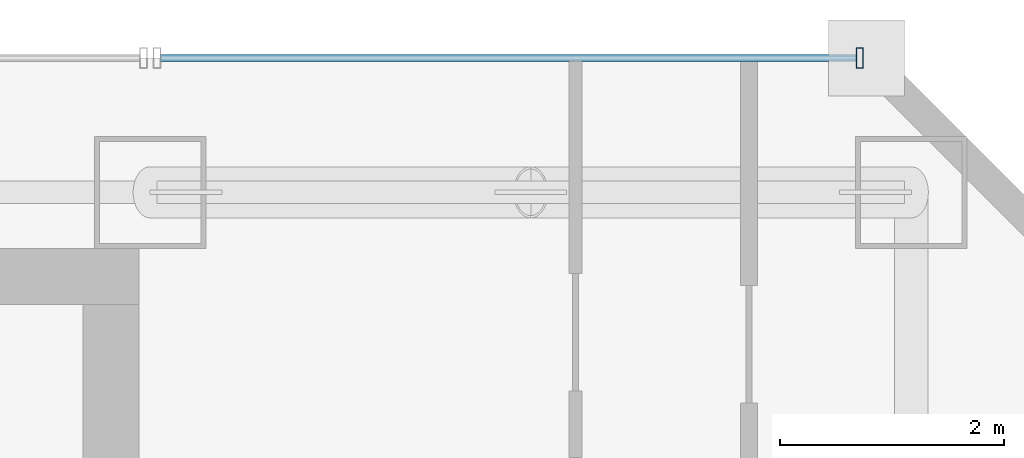
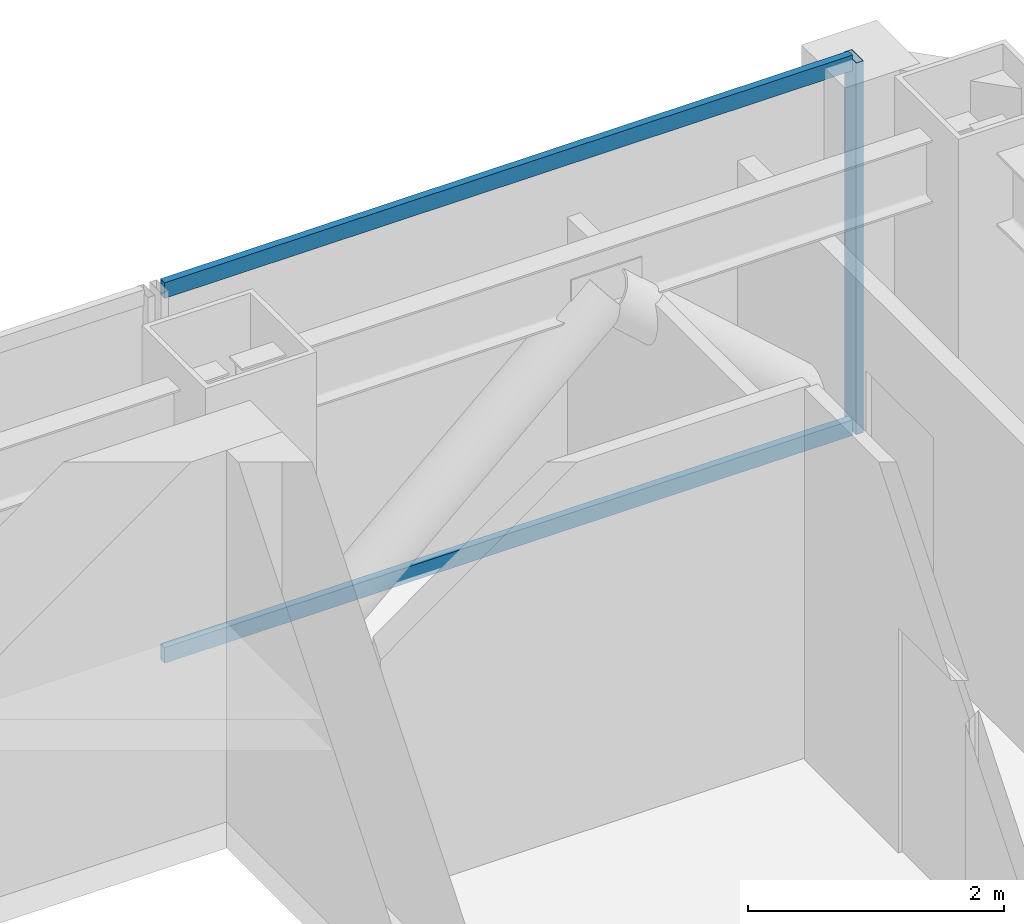
# One storey, part 29 of 38: 3 members, 1 element without a shape of its own.
"""IFC4 building model written with IfcOpenShell, lengths in metres."""

from ifc_helpers import new_model, si_unit, direction, frame, origin, origin_2d, place, context, subcontext, project, spatial, hollow_rectangle, extrude, material, material_profile, profile_set, type_object, element, aggregate, save


model = new_model("IFC4")

# Units and contexts
model_context = context("Model", 3, precision=1e-05, world=origin(), true_north=direction((0.0, 1.0)))
body_context = subcontext(model_context, "Body", "Model", "MODEL_VIEW")
ifc_project = project(units=[si_unit("LENGTHUNIT", "METRE"), si_unit("AREAUNIT", "SQUARE_METRE"), si_unit("VOLUMEUNIT", "CUBIC_METRE"), si_unit("PLANEANGLEUNIT", "RADIAN"), si_unit("MASSUNIT", "GRAM", prefix="KILO")], contexts=[model_context])

# Site, building, storey
site_placement = place(None, origin())
site = spatial("IfcSite", under=ifc_project, at=site_placement, CompositionType="ELEMENT")
building_placement = place(site_placement, origin())
building = spatial("IfcBuilding", under=site, at=building_placement, Name="Saevonmaru Cultural Tower", CompositionType="ELEMENT")
storey_placement = place(building_placement, frame((0.0, 0.0, 133.39990234375)))
storey = spatial("IfcBuildingStorey", under=building, at=storey_placement, Name="L28", CompositionType="ELEMENT", Elevation=133.39990234375)

# Curtain wall, members
ifc_material = material(Name="Satin Bronze Anodised Aluminium", Category="aluminium")
curtain_wall_type = type_object("IfcCurtainWallType", Name="CW-TYP-A", PredefinedType="NOTDEFINED", material=ifc_material)
curtain_wall_placement = place(storey_placement, origin())
curtain_wall = element("IfcCurtainWall", 1, at=curtain_wall_placement, inside=storey, type_object=curtain_wall_type, Name="L28 East Braced Bay Spandrel Curtain Wall E10A", PredefinedType="NOTDEFINED")
ifc_material_profile_1 = material_profile(ifc_material, hollow_rectangle(XDim=0.06494140625, YDim=0.179931640625, WallThickness=0.00390625, at=origin_2d()), Name="ALU-MULL-180x65x4")
ifc_profile_set_1 = profile_set([ifc_material_profile_1], Name="Satin Bronze Anodised Aluminium")
member_type_1 = type_object("IfcMemberType", Name="ML-CW-180x65", PredefinedType="MULLION", material=ifc_profile_set_1)
member_1_placement = place(storey_placement, frame((52.739990234375, 56.0, 0.0), z_axis=(0.0, 0.0, 1.0), x_axis=(-1.0, 0.0, 0.0)))
member_1 = element("IfcMember", 2, at=member_1_placement, type_object=member_type_1, Name="CW-TW-L28-E10A mullion 1", PredefinedType="MULLION", context=body_context, shape_type="SweptSolid", body=[
    extrude(hollow_rectangle(XDim=0.06494140625, YDim=0.179931640625, WallThickness=0.00390625, at=origin_2d()), origin(), (0.0, 0.0, 1.0), 3.550048828125),
])
ifc_material_profile_2 = material_profile(ifc_material, hollow_rectangle(XDim=0.06494140625, YDim=0.14990234375, WallThickness=0.00390625, at=origin_2d()), Name="ALU-TRAN-150x65x4")
ifc_profile_set_2 = profile_set([ifc_material_profile_2], Name="Satin Bronze Anodised Aluminium")
member_type_2 = type_object("IfcMemberType", Name="TR-CW-150x65", PredefinedType="USERDEFINED", material=ifc_profile_set_2)
member_2_placement = place(storey_placement, frame((52.70751953125, 56.0, 0.03271484375), z_axis=(-1.0, 0.0, 0.0), x_axis=(0.0, -1.0, 0.0)))
member_2 = element("IfcMember", 3, at=member_2_placement, type_object=member_type_2, Name="CW-TW-L28-E10A transom 1.1", ObjectType="TRANSOM", PredefinedType="USERDEFINED", context=body_context, shape_type="SweptSolid", body=[
    extrude(hollow_rectangle(XDim=0.06494140625, YDim=0.14990234375, WallThickness=0.00390625, at=origin_2d()), origin(), (0.0, 0.0, 1.0), 6.215087890625),
])
member_3_placement = place(storey_placement, frame((52.70751953125, 56.0, 3.517578125), z_axis=(-1.0, 0.0, 0.0), x_axis=(0.0, -1.0, 0.0)))
member_3 = element("IfcMember", 4, at=member_3_placement, type_object=member_type_2, Name="CW-TW-L28-E10A transom 1.2", ObjectType="TRANSOM", PredefinedType="USERDEFINED", context=body_context, shape_type="SweptSolid", body=[
    extrude(hollow_rectangle(XDim=0.06494140625, YDim=0.14990234375, WallThickness=0.00390625, at=origin_2d()), origin(), (0.0, 0.0, 1.0), 6.215087890625),
])
aggregate(curtain_wall, [member_1, member_2, member_3])

save(model, "model.ifc")
